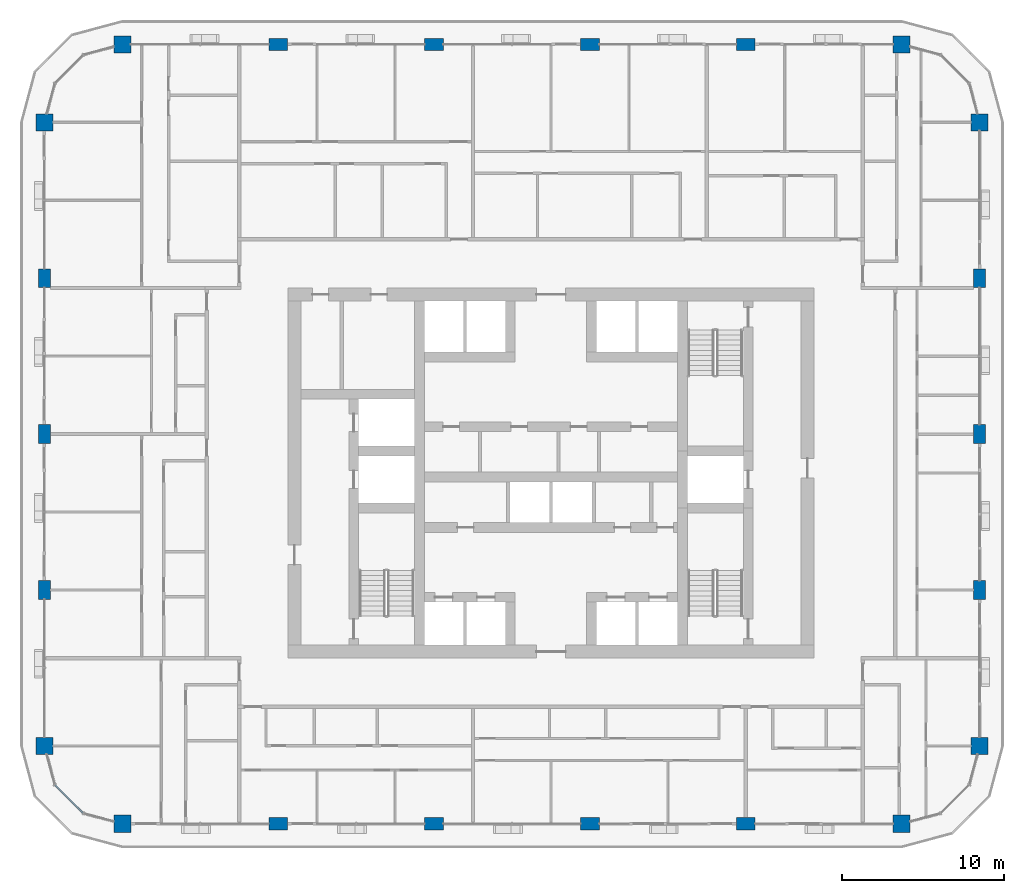
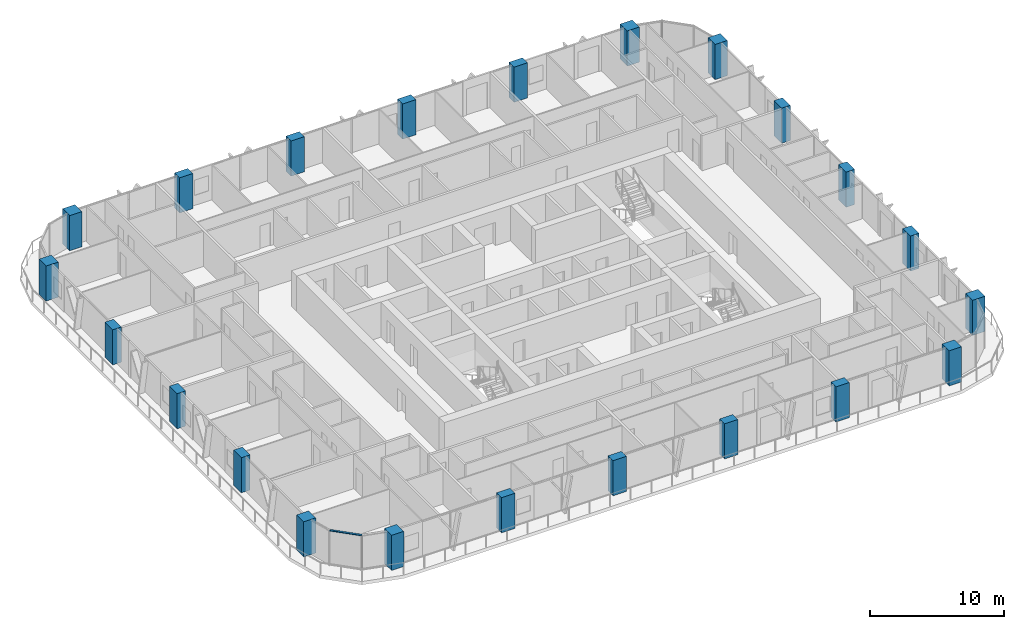
# One storey, part 1 of 22: 22 columns, 1 member, 1 element without a shape of its own.
"""IFC4 building model written with IfcOpenShell, lengths in metres."""

from ifc_helpers import new_model, si_unit, direction, frame, origin, origin_2d, place, context, subcontext, project, spatial, rectangle, extrude, material, layer, layer_set, material_profile, profile_set, type_object, element, aggregate, save


model = new_model("IFC4")

# Units and contexts
model_context = context("Model", 3, precision=1e-05, world=origin(), true_north=direction((0.0, 1.0)))
body_context = subcontext(model_context, "Body", "Model", "MODEL_VIEW")
ifc_project = project(units=[si_unit("LENGTHUNIT", "METRE"), si_unit("AREAUNIT", "SQUARE_METRE"), si_unit("VOLUMEUNIT", "CUBIC_METRE"), si_unit("PLANEANGLEUNIT", "RADIAN"), si_unit("MASSUNIT", "GRAM", prefix="KILO")], contexts=[model_context])

# Site, building, storey
site_placement = place(None, origin())
site = spatial("IfcSite", under=ifc_project, at=site_placement, CompositionType="ELEMENT")
building_placement = place(site_placement, origin())
building = spatial("IfcBuilding", under=site, at=building_placement, Name="Madar Terraces", CompositionType="ELEMENT")
storey_placement = place(building_placement, frame((0.0, 0.0, 126.10009765625)))
storey = spatial("IfcBuildingStorey", under=building, at=storey_placement, Name="L32", CompositionType="ELEMENT", Elevation=126.10009765625)

# Columns
ifc_material_1 = material(Name="Concrete C70/85", Category="concrete")
ifc_material_profile_1 = material_profile(ifc_material_1, rectangle(XDim=1.14990234375, YDim=0.75, at=origin_2d()), Name="CC3 RC 1150x750")
ifc_profile_set_1 = profile_set([ifc_material_profile_1], Name="Concrete C70/85")
column_type_1 = type_object("IfcColumnType", Name="CC3 RC 1150x750", PredefinedType="COLUMN", material=ifc_profile_set_1)
for number, where, z_axis, x_axis, name in (
    (1, (14.39990234375, 4.800048828125, 0.0), (0.0, 0.0, 1.0), (1.0, 0.0, 0.0), "Perimeter column S2"),
    (2, (24.0, 4.800048828125, 0.0), (0.0, 0.0, 1.0), (1.0, 0.0, 0.0), "Perimeter column S3"),
    (3, (33.60009765625, 4.800048828125, 0.0), (0.0, 0.0, 1.0), (1.0, 0.0, 0.0), "Perimeter column S4"),
    (4, (43.199951171875, 4.800048828125, 0.0), (0.0, 0.0, 1.0), (1.0, 0.0, 0.0), "Perimeter column S5"),
    (5, (57.60009765625, 19.199951171875, 0.0), (0.0, 0.0, 1.0), (0.0, 1.0, 0.0), "Perimeter column E2"),
    (6, (57.60009765625, 28.800048828125, 0.0), (0.0, 0.0, 1.0), (0.0, 1.0, 0.0), "Perimeter column E3"),
    (7, (57.60009765625, 38.39990234375, 0.0), (0.0, 0.0, 1.0), (0.0, 1.0, 0.0), "Perimeter column E4"),
    (8, (43.199951171875, 52.800048828125, 0.0), (0.0, 0.0, 1.0), (1.0, 0.0, 0.0), "Perimeter column N2"),
    (9, (33.60009765625, 52.800048828125, 0.0), (0.0, 0.0, 1.0), (1.0, 0.0, 0.0), "Perimeter column N3"),
    (10, (24.0, 52.800048828125, 0.0), (0.0, 0.0, 1.0), (1.0, 0.0, 0.0), "Perimeter column N4"),
    (11, (14.39990234375, 52.800048828125, 0.0), (0.0, 0.0, 1.0), (1.0, 0.0, 0.0), "Perimeter column N5"),
    (12, (0.0, 38.39990234375, 0.0), (0.0, 0.0, 1.0), (0.0, 1.0, 0.0), "Perimeter column W2"),
    (13, (0.0, 28.800048828125, 0.0), (0.0, 0.0, 1.0), (0.0, 1.0, 0.0), "Perimeter column W3"),
    (14, (0.0, 19.199951171875, 0.0), (0.0, 0.0, 1.0), (0.0, 1.0, 0.0), "Perimeter column W4"),
):
    element("IfcColumn", number, at=place(storey_placement, frame(where, z_axis=z_axis, x_axis=x_axis)), inside=storey, type_object=column_type_1, Name=name, PredefinedType="COLUMN", context=body_context, shape_type="SweptSolid", body=[
        extrude(rectangle(XDim=1.14990234375, YDim=0.75, at=origin_2d()), origin(), (0.0, 0.0, 1.0), 3.199951171875),
    ])
ifc_material_2 = material(Name="Concrete C70/85", Category="concrete")
ifc_material_profile_2 = material_profile(ifc_material_2, rectangle(XDim=1.050048828125, YDim=1.050048828125, at=origin_2d()), Name="KC3 RC 1050x1050")
ifc_profile_set_2 = profile_set([ifc_material_profile_2], Name="Concrete C70/85")
column_type_2 = type_object("IfcColumnType", Name="KC3 RC 1050x1050", PredefinedType="COLUMN", material=ifc_profile_set_2)
for number, where, z_axis, x_axis, name in (
    (15, (4.800048828125, 4.800048828125, 0.0), (0.0, 0.0, 1.0), (1.0, 0.0, 0.0), "Perimeter column S1"),
    (16, (52.800048828125, 4.800048828125, 0.0), (0.0, 0.0, 1.0), (1.0, 0.0, 0.0), "Perimeter column S6"),
    (17, (57.60009765625, 9.60009765625, 0.0), (0.0, 0.0, 1.0), (1.0, 0.0, 0.0), "Perimeter column E1"),
    (18, (57.60009765625, 48.0, 0.0), (0.0, 0.0, 1.0), (1.0, 0.0, 0.0), "Perimeter column E5"),
    (19, (52.800048828125, 52.800048828125, 0.0), (0.0, 0.0, 1.0), (1.0, 0.0, 0.0), "Perimeter column N1"),
    (20, (4.800048828125, 52.800048828125, 0.0), (0.0, 0.0, 1.0), (1.0, 0.0, 0.0), "Perimeter column N6"),
    (21, (0.0, 48.0, 0.0), (0.0, 0.0, 1.0), (1.0, 0.0, 0.0), "Perimeter column W1"),
    (22, (0.0, 9.60009765625, 0.0), (0.0, 0.0, 1.0), (1.0, 0.0, 0.0), "Perimeter column W5"),
):
    element("IfcColumn", number, at=place(storey_placement, frame(where, z_axis=z_axis, x_axis=x_axis)), inside=storey, type_object=column_type_2, Name=name, PredefinedType="COLUMN", context=body_context, shape_type="SweptSolid", body=[
        extrude(rectangle(XDim=1.050048828125, YDim=1.050048828125, at=origin_2d()), origin(), (0.0, 0.0, 1.0), 3.199951171875),
    ])

# Curtain wall, member
ifc_material_3 = material(Name="Glass, ceramic frit dark grey, with black aluminium frame", Category="aluminium")
ifc_layer = layer(ifc_material_3, 0.199951171875)
ifc_layer_set = layer_set([ifc_layer], Name="Facade curtain wall, fritted glass")
curtain_wall_type = type_object("IfcCurtainWallType", Name="Facade curtain wall, fritted glass", PredefinedType="NOTDEFINED", material=ifc_layer_set)
curtain_wall_placement = place(storey_placement, origin())
curtain_wall = element("IfcCurtainWall", 23, at=curtain_wall_placement, inside=storey, type_object=curtain_wall_type, Name="Outer skin curtain wall south-west corner", PredefinedType="NOTDEFINED")
ifc_material_4 = material(Name="Aluminium, black anodised", Category="aluminium")
ifc_material_profile_3 = material_profile(ifc_material_4, rectangle(XDim=0.1201171875, YDim=0.06005859375, at=origin_2d()), Name="Facade transom 60x120")
ifc_profile_set_3 = profile_set([ifc_material_profile_3], Name="Aluminium, black anodised")
member_type = type_object("IfcMemberType", Name="Facade transom 60x120", PredefinedType="USERDEFINED", material=ifc_profile_set_3)
member_placement = place(storey_placement, frame((0.664306640625, 7.1787109375, 3.169921875), z_axis=(0.707157125196, -0.707056433593, 0.0), x_axis=(0.707056433593, 0.707157125196, 0.0)))
member = element("IfcMember", 24, at=member_placement, type_object=member_type, Name="Transom 2", ObjectType="TRANSOM", PredefinedType="USERDEFINED", context=body_context, shape_type="SweptSolid", body=[
    extrude(rectangle(XDim=0.1201171875, YDim=0.06005859375, at=origin_2d()), origin(), (0.0, 0.0, 1.0), 2.424560546875),
])
aggregate(curtain_wall, [member])

save(model, "model.ifc")
